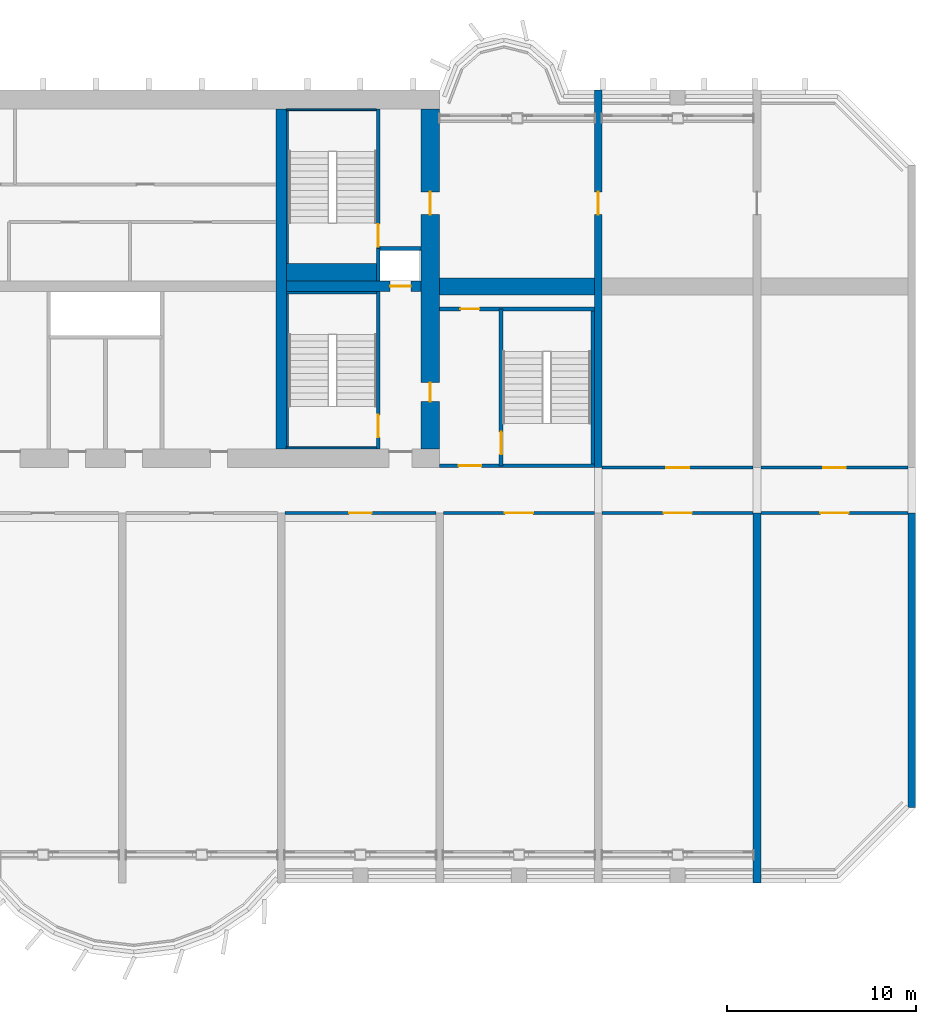
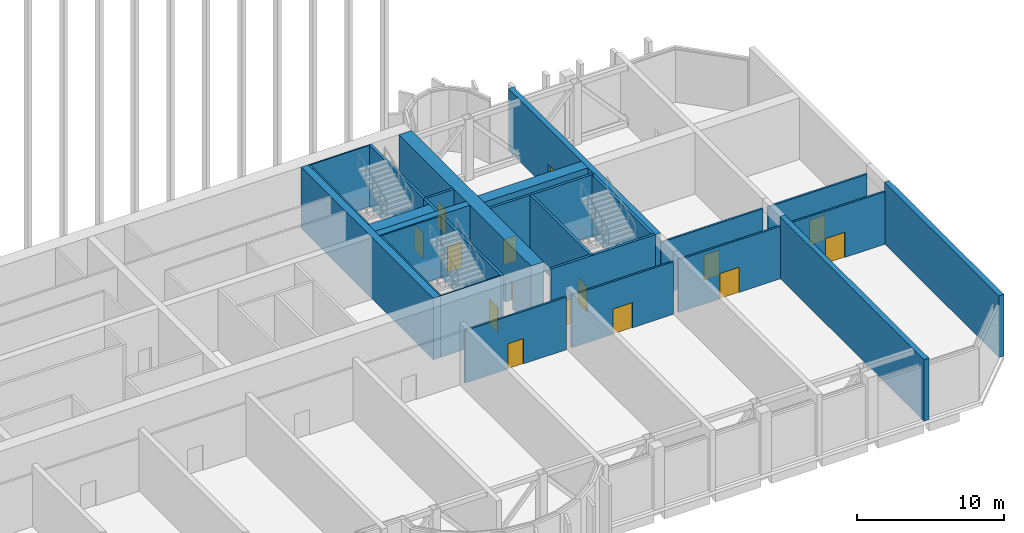
# One storey, part 8 of 17: 27 walls, 15 doors, 15 openings.
"""IFC4 building model written with IfcOpenShell, lengths in metres."""

import ifcopenshell
import ifcopenshell.guid

model = None  # the IFC model being written
_history = None  # IfcOwnerHistory: only IFC2X3 demands one
_inside = {}  # id of a spatial element -> (the spatial element, [elements in it])
_under = {}  # id of a project, library or spatial element -> (it, [spatial elements below it])
_declared = {}  # id of a project -> (the project, [libraries it declares])
_typed = {}  # id of a type object -> (the type object, [elements of that type])
_made_of = {}  # id of a material, layer set ... -> (it, [elements and type objects made of it])


def new_model(schema):
    """Start an empty IFC model of exactly this schema.

    Asked for "IFC4X3", IfcOpenShell would pick the latest addendum, in which some entities
    have other attributes; the version numbers below select the first issue.
    IFC2X3 requires an IfcOwnerHistory on every rooted entity: one is made here for all.
    """
    global model, _history
    if schema == "IFC4X3":
        model = ifcopenshell.file(schema_version=(4, 3, 0, 0))
    else:
        model = ifcopenshell.file(schema=schema)
    _inside.clear()
    _under.clear()
    _declared.clear()
    _typed.clear()
    _made_of.clear()
    _history = None
    if model.schema == "IFC2X3":
        org = make("IfcOrganization", Name="unknown")
        user = make(
            "IfcPersonAndOrganization",
            ThePerson=make("IfcPerson", FamilyName="unknown"),
            TheOrganization=org,
        )
        app = make(
            "IfcApplication",
            ApplicationDeveloper=org,
            Version="unknown",
            ApplicationFullName="unknown",
            ApplicationIdentifier="unknown",
        )
        _history = make(
            "IfcOwnerHistory",
            OwningUser=user,
            OwningApplication=app,
            ChangeAction="ADDED",
            CreationDate=0,
        )
    return model


def make(cls, **values):
    """One entity of the class cls with the attributes given. An attribute that is None is left unset."""
    return model.create_entity(
        cls, **{name: value for name, value in values.items() if value is not None}
    )


def rooted(cls, **values):
    """An entity with a GlobalId (a new one), such as an element, a storey or a relation."""
    return make(cls, GlobalId=ifcopenshell.guid.new(), OwnerHistory=_history, **values)


def si_unit(unit_type, name, prefix=None):
    """IfcSIUnit, for example si_unit("LENGTHUNIT", "METRE", prefix="MILLI")."""
    return make("IfcSIUnit", UnitType=unit_type, Prefix=prefix, Name=name)


def assignment(units):
    """IfcUnitAssignment: the units of a project."""
    return None if units is None else make("IfcUnitAssignment", Units=units)


def point(xyz):
    """IfcCartesianPoint."""
    return None if xyz is None else make("IfcCartesianPoint", Coordinates=xyz)


def direction(xyz):
    """IfcDirection."""
    return None if xyz is None else make("IfcDirection", DirectionRatios=xyz)


def frame(location, z_axis=None, x_axis=None):
    """IfcAxis2Placement3D, a coordinate frame: its origin and axes. An axis left out is left unset."""
    return make(
        "IfcAxis2Placement3D",
        Location=point(location),
        Axis=direction(z_axis),
        RefDirection=direction(x_axis),
    )


def frame_2d(location, x_axis=None):
    """IfcAxis2Placement2D, a coordinate frame in the plane: its origin and x axis."""
    return make(
        "IfcAxis2Placement2D", Location=point(location), RefDirection=direction(x_axis)
    )


def origin():
    """The frame at (0, 0, 0) with its axes left unset."""
    return frame((0.0, 0.0, 0.0))


def place(relative_to, where):
    """IfcLocalPlacement: puts the frame where relative to a parent placement (None: the world)."""
    return make(
        "IfcLocalPlacement", PlacementRelTo=relative_to, RelativePlacement=where
    )


def context(
    kind, dimensions, precision=None, world=None, true_north=None, identifier=None
):
    """IfcGeometricRepresentationContext, for example the 3D "Model" context."""
    return make(
        "IfcGeometricRepresentationContext",
        ContextIdentifier=identifier,
        ContextType=kind,
        CoordinateSpaceDimension=dimensions,
        Precision=precision,
        WorldCoordinateSystem=world,
        TrueNorth=true_north,
    )


def subcontext(parent, identifier, kind, view, scale=None):
    """IfcGeometricRepresentationSubContext, for example "Body" below "Model"."""
    return make(
        "IfcGeometricRepresentationSubContext",
        ContextIdentifier=identifier,
        ContextType=kind,
        ParentContext=parent,
        TargetScale=scale,
        TargetView=view,
    )


def project(units=None, contexts=None):
    """IfcProject with its units and contexts."""
    return rooted(
        "IfcProject",
        Name="project",
        RepresentationContexts=contexts,
        UnitsInContext=assignment(units),
    )


def spatial(cls, under=None, at=None, **own):
    """A site, building, storey or space (cls), placed at a placement, below another one or the project."""
    s = rooted(cls, ObjectPlacement=at, **own)
    if under is not None:
        _under.setdefault(under.id(), (under, []))[1].append(s)
    return s


def profile(cls, at=None, kind="AREA", **sizes):
    """A parametric profile (cls). Its sizes go by their IFC names, for example OverallWidth=200.0."""
    return make(cls, ProfileType=kind, Position=at, **sizes)


def rectangle(**sizes):
    """IfcRectangleProfileDef."""
    return profile("IfcRectangleProfileDef", **sizes)


def extrude(swept, where, along, depth):
    """IfcExtrudedAreaSolid: the profile swept, set in the frame where, extruded along a direction by depth."""
    return make(
        "IfcExtrudedAreaSolid",
        SweptArea=swept,
        Position=where,
        ExtrudedDirection=direction(along),
        Depth=depth,
    )


def shape(context_of_items, identifier, shape_type, items):
    """IfcShapeRepresentation: the items that make up one representation, for example the "Body"."""
    return make(
        "IfcShapeRepresentation",
        ContextOfItems=context_of_items,
        RepresentationIdentifier=identifier,
        RepresentationType=shape_type,
        Items=items,
    )


def source(mapping_origin, context_of_items, identifier, shape_type, items):
    """IfcRepresentationMap: a shape defined once, which mapped items show again and again."""
    return make(
        "IfcRepresentationMap",
        MappingOrigin=mapping_origin,
        MappedRepresentation=shape(context_of_items, identifier, shape_type, items),
    )


def transform(
    local_origin,
    x_axis=None,
    y_axis=None,
    z_axis=None,
    scale=None,
    scale2=None,
    scale3=None,
    uniform=True,
):
    """IfcCartesianTransformationOperator3D, or its non-uniform kind. x_axis, y_axis, z_axis: its Axis1, 2, 3."""
    if uniform:
        return make(
            "IfcCartesianTransformationOperator3D",
            Axis1=direction(x_axis),
            Axis2=direction(y_axis),
            LocalOrigin=point(local_origin),
            Scale=scale,
            Axis3=direction(z_axis),
        )
    return make(
        "IfcCartesianTransformationOperator3DnonUniform",
        Axis1=direction(x_axis),
        Axis2=direction(y_axis),
        LocalOrigin=point(local_origin),
        Scale=scale,
        Axis3=direction(z_axis),
        Scale2=scale2,
        Scale3=scale3,
    )


def mapped(mapping_source, mapping_target):
    """IfcMappedItem: shows the shape of a source again, moved by a transform."""
    return make(
        "IfcMappedItem", MappingSource=mapping_source, MappingTarget=mapping_target
    )


def material(Name=None, Category=None):
    """IfcMaterial."""
    return make("IfcMaterial", Name=Name, Category=Category)


def layer(
    of_material, thickness, ventilated=None, Name=None, Category=None, Priority=None
):
    """IfcMaterialLayer: one layer of a wall or slab, of a material (None: an air gap)."""
    return make(
        "IfcMaterialLayer",
        Material=of_material,
        LayerThickness=thickness,
        IsVentilated=ventilated,
        Name=Name,
        Category=Category,
        Priority=Priority,
    )


def layer_set(layers, Name=None):
    """IfcMaterialLayerSet."""
    return make("IfcMaterialLayerSet", MaterialLayers=layers, LayerSetName=Name)


def made_of(thing, what):
    """Note that an element or type object is made of a material, layer set ...; save() writes the relation."""
    if what is not None:
        _made_of.setdefault(what.id(), (what, []))[1].append(thing)
    return thing


def type_object(cls, material=None, **own):
    """A type object (cls), such as IfcWallType, which elements share."""
    return made_of(rooted(cls, **own), material)


def element(
    cls,
    number,
    at=None,
    inside=None,
    cuts=None,
    type_object=None,
    material=None,
    context=None,
    identifier="Body",
    shape_type=None,
    held_by="IfcProductDefinitionShape",
    body=None,
    shapes=None,
    **own,
):
    """One element of the class cls, such as IfcWall. Its Tag is "e" and its number.

    at: its placement. inside: the storey or other place that contains it. cuts: it is an
    opening in that element (IfcRelVoidsElement). A single representation is given by context,
    identifier, shape_type and body (its items); several are given by shapes. held_by: the class
    of the entity that holds the representations. save() writes the other relations.
    """
    e = rooted(cls, Tag="e%d" % number, ObjectPlacement=at, **own)
    if body is not None:
        shapes = [shape(context, identifier, shape_type, body)]
    if shapes is not None:
        e.Representation = make(held_by, Representations=shapes)
    if inside is not None:
        _inside.setdefault(inside.id(), (inside, []))[1].append(e)
    if cuts is not None:
        rooted(
            "IfcRelVoidsElement", RelatingBuildingElement=cuts, RelatedOpeningElement=e
        )
    if type_object is not None:
        _typed.setdefault(type_object.id(), (type_object, []))[1].append(e)
    return made_of(e, material)


def fill(opening, filler):
    """IfcRelFillsElement: the door or window that sits in an opening."""
    return rooted(
        "IfcRelFillsElement",
        RelatingOpeningElement=opening,
        RelatedBuildingElement=filler,
    )


def aggregate(whole, parts):
    """IfcRelAggregates: a whole, such as a stair, and the parts it consists of."""
    return rooted("IfcRelAggregates", RelatingObject=whole, RelatedObjects=parts)


def save(model, path):
    """Write the relations noted so far, then the file.

    IfcRelAggregates (storeys below a building ...), IfcRelContainedInSpatialStructure (elements
    in a storey), IfcRelDefinesByType, IfcRelAssociatesMaterial and IfcRelDeclares: one each for
    every whole, place, type object, material and project.
    """
    for whole, parts in _under.values():
        aggregate(whole, parts)
    for where, things in _inside.values():
        rooted(
            "IfcRelContainedInSpatialStructure",
            RelatedElements=things,
            RelatingStructure=where,
        )
    for kind, things in _typed.values():
        rooted("IfcRelDefinesByType", RelatedObjects=things, RelatingType=kind)
    for what, things in _made_of.values():
        rooted("IfcRelAssociatesMaterial", RelatedObjects=things, RelatingMaterial=what)
    for by, libraries in _declared.values():
        rooted("IfcRelDeclares", RelatingContext=by, RelatedDefinitions=libraries)
    model.write(path)


model = new_model("IFC4")

# Units and contexts
model_context = context("Model", 3, precision=1e-05, world=origin(), true_north=direction((0.0, 1.0)))
body_context = subcontext(model_context, "Body", "Model", "MODEL_VIEW")
ifc_project = project(units=[si_unit("LENGTHUNIT", "METRE"), si_unit("AREAUNIT", "SQUARE_METRE"), si_unit("VOLUMEUNIT", "CUBIC_METRE"), si_unit("PLANEANGLEUNIT", "RADIAN"), si_unit("MASSUNIT", "GRAM", prefix="KILO")], contexts=[model_context])

# Site, building, storey
site_placement = place(None, origin())
site = spatial("IfcSite", under=ifc_project, at=site_placement, CompositionType="ELEMENT")
building_placement = place(site_placement, origin())
building = spatial("IfcBuilding", under=site, at=building_placement, Name="Vanashikhar Sky Hotel", CompositionType="ELEMENT")
storey_placement = place(building_placement, frame((0.0, 0.0, 81.0)))
storey = spatial("IfcBuildingStorey", under=building, at=storey_placement, Name="L19", CompositionType="ELEMENT", Elevation=81.0)

# Wall, openings, doors
ifc_material_1 = material(Name="Concrete M80", Category="concrete")
ifc_layer_1 = layer(ifc_material_1, 1.0)
ifc_layer_set_1 = layer_set([ifc_layer_1], Name="RC core shell wall 1000 Concrete M80")
wall_type_1 = type_object("IfcWallType", Name="RC core shell wall 1000 Concrete M80", PredefinedType="SHEAR", material=ifc_layer_set_1)
shared_shape_1 = source(origin(), body_context, "Body", "SweptSolid", [
    extrude(rectangle(XDim=18.0, YDim=1.0, at=frame_2d((9.0, 0.0))), origin(), (0.0, 0.0, 1.0), 5.1201171875),
])
wall_1_placement = place(storey_placement, frame((75.10009765625, 23.0, 0.0), z_axis=(0.0, 0.0, 1.0), x_axis=(0.0, 1.0, 0.0)))
wall_1 = element("IfcWall", 1, at=wall_1_placement, inside=storey, type_object=wall_type_1, Name="KW-L19-KE", PredefinedType="SHEAR", context=body_context, shape_type="MappedRepresentation", body=[
    mapped(shared_shape_1, transform((0.0, 0.0, 0.0), scale=1.0)),
])
shared_shape_2 = source(origin(), body_context, "Body", "SweptSolid", [
    extrude(rectangle(XDim=1.0, YDim=2.10009765625, at=frame_2d((0.5, 1.050048828125))), frame((0.0, 0.510009765625, 0.0), z_axis=(0.0, -1.0, 0.0), x_axis=(1.0, 0.0, 0.0)), (0.0, 0.0, 1.0), 1.02001953125),
])
opening_1_placement = place(wall_1_placement, frame((2.5, 0.0, 0.0)))
opening_1 = element("IfcOpeningElement", 2, at=opening_1_placement, cuts=wall_1, Name="Opening DC-5", PredefinedType="OPENING", context=body_context, shape_type="MappedRepresentation", body=[
    mapped(shared_shape_2, transform((0.0, 0.0, 0.0), scale=1.0)),
])
shared_shape_3 = source(origin(), body_context, "Body", "SweptSolid", [
    extrude(rectangle(XDim=1.199951171875, YDim=2.10009765625, at=frame_2d((0.60009765625, 1.050048828125))), frame((0.0, 0.510009765625, 0.0), z_axis=(0.0, -1.0, 0.0), x_axis=(1.0, 0.0, 0.0)), (0.0, 0.0, 1.0), 1.02001953125),
])
opening_2_placement = place(wall_1_placement, frame((12.39990234375, 0.0, 0.0)))
opening_2 = element("IfcOpeningElement", 3, at=opening_2_placement, cuts=wall_1, Name="Opening DC-4-D", PredefinedType="OPENING", context=body_context, shape_type="MappedRepresentation", body=[
    mapped(shared_shape_3, transform((0.0, 0.0, 0.0), scale=1.0)),
])
ifc_material_2 = material(Name="Steel", Category="steel")
door_type_1 = type_object("IfcDoorType", Name="Refuge door 1000 FD120", OperationType="NOTDEFINED", PredefinedType="DOOR", material=ifc_material_2)
shared_shape_4 = source(origin(), body_context, "Body", "SweptSolid", [
    extrude(rectangle(XDim=1.0, YDim=2.10009765625, at=frame_2d((0.5, 1.050048828125))), frame((0.0, 0.02490234375, 0.0), z_axis=(0.0, -1.0, 0.0), x_axis=(1.0, 0.0, 0.0)), (0.0, 0.0, 1.0), 0.050048828125),
])
door_1_placement = place(opening_1_placement, origin())
door_1 = element("IfcDoor", 4, at=door_1_placement, inside=storey, type_object=door_type_1, Name="Refuge door 1000 FD120", OperationType="SINGLE_SWING_RIGHT", OverallHeight=2.10009765625, OverallWidth=1.0, PredefinedType="DOOR", context=body_context, shape_type="MappedRepresentation", body=[
    mapped(shared_shape_4, transform((0.0, 0.0, 0.0), scale=1.0)),
])
fill(opening_1, door_1)
door_type_2 = type_object("IfcDoorType", Name="Service door 1200 FD120", OperationType="NOTDEFINED", PredefinedType="DOOR", material=ifc_material_2)
shared_shape_5 = source(origin(), body_context, "Body", "SweptSolid", [
    extrude(rectangle(XDim=1.199951171875, YDim=2.10009765625, at=frame_2d((0.60009765625, 1.050048828125))), frame((0.0, 0.02490234375, 0.0), z_axis=(0.0, -1.0, 0.0), x_axis=(1.0, 0.0, 0.0)), (0.0, 0.0, 1.0), 0.050048828125),
])
door_2_placement = place(opening_2_placement, origin())
door_2 = element("IfcDoor", 5, at=door_2_placement, inside=storey, type_object=door_type_2, Name="Service door 1200 FD120", OperationType="SINGLE_SWING_LEFT", OverallHeight=2.10009765625, OverallWidth=1.199951171875, PredefinedType="DOOR", context=body_context, shape_type="MappedRepresentation", body=[
    mapped(shared_shape_5, transform((0.0, 0.0, 0.0), scale=1.0)),
])
fill(opening_2, door_2)

# Wall
ifc_layer_2 = layer(ifc_material_1, 0.550048828125)
ifc_layer_set_2 = layer_set([ifc_layer_2], Name="RC core inner wall 550 Concrete M80")
wall_type_2 = type_object("IfcWallType", Name="RC core inner wall 550 Concrete M80", PredefinedType="SHEAR", material=ifc_layer_set_2)
shared_shape_6 = source(origin(), body_context, "Body", "SweptSolid", [
    extrude(rectangle(XDim=18.0, YDim=0.550048828125, at=frame_2d((9.0, 0.0))), origin(), (0.0, 0.0, 1.0), 5.1201171875),
])
wall_2_placement = place(storey_placement, frame((67.199951171875, 23.0, 0.0), z_axis=(0.0, 0.0, 1.0), x_axis=(0.0, 1.0, 0.0)))
element("IfcWall", 6, at=wall_2_placement, inside=storey, type_object=wall_type_2, Name="KW-L19-KX3", PredefinedType="SHEAR", context=body_context, shape_type="MappedRepresentation", body=[
    mapped(shared_shape_6, transform((0.0, 0.0, 0.0), scale=1.0)),
])

# Wall, opening, door
shared_shape_7 = source(origin(), body_context, "Body", "SweptSolid", [
    extrude(rectangle(XDim=7.125, YDim=0.550048828125, at=frame_2d((3.5625, 0.0))), origin(), (0.0, 0.0, 1.0), 5.1201171875),
])
wall_3_placement = place(storey_placement, frame((67.47509765625, 31.60009765625, 0.0), z_axis=(0.0, 0.0, 1.0), x_axis=(1.0, 0.0, 0.0)))
wall_3 = element("IfcWall", 7, at=wall_3_placement, inside=storey, type_object=wall_type_2, Name="KW-L19-KY4", PredefinedType="SHEAR", context=body_context, shape_type="MappedRepresentation", body=[
    mapped(shared_shape_7, transform((0.0, 0.0, 0.0), scale=1.0)),
])
shared_shape_8 = source(origin(), body_context, "Body", "SweptSolid", [
    extrude(rectangle(XDim=1.10009765625, YDim=2.10009765625, at=frame_2d((0.550048828125, 1.050048828125))), frame((0.0, 0.28515625, 0.0), z_axis=(0.0, -1.0, 0.0), x_axis=(1.0, 0.0, 0.0)), (0.0, 0.0, 1.0), 0.570068359375),
])
opening_3_placement = place(wall_3_placement, frame((5.5, 0.0, 0.0)))
opening_3 = element("IfcOpeningElement", 8, at=opening_3_placement, cuts=wall_3, Name="Opening LD", PredefinedType="OPENING", context=body_context, shape_type="MappedRepresentation", body=[
    mapped(shared_shape_8, transform((0.0, 0.0, 0.0), scale=1.0)),
])
ifc_material_3 = material(Name="Stainless steel", Category="steel")
door_type_3 = type_object("IfcDoorType", Name="Lift landing door 1100", OperationType="NOTDEFINED", PredefinedType="DOOR", material=ifc_material_3)
shared_shape_9 = source(origin(), body_context, "Body", "SweptSolid", [
    extrude(rectangle(XDim=1.10009765625, YDim=2.10009765625, at=frame_2d((0.550048828125, 1.050048828125))), frame((0.0, 0.02490234375, 0.0), z_axis=(0.0, -1.0, 0.0), x_axis=(1.0, 0.0, 0.0)), (0.0, 0.0, 1.0), 0.050048828125),
])
door_3_placement = place(opening_3_placement, origin())
door_3 = element("IfcDoor", 9, at=door_3_placement, inside=storey, type_object=door_type_3, Name="Lift landing door 1100", OperationType="SLIDING_TO_LEFT", OverallHeight=2.10009765625, OverallWidth=1.10009765625, PredefinedType="DOOR", context=body_context, shape_type="MappedRepresentation", body=[
    mapped(shared_shape_9, transform((0.0, 0.0, 0.0), scale=1.0)),
])
fill(opening_3, door_3)

# Walls
ifc_layer_3 = layer(ifc_material_1, 0.39990234375)
ifc_layer_set_3 = layer_set([ifc_layer_3], Name="RC shear wall 400 Concrete M80")
wall_type_3 = type_object("IfcWallType", Name="RC shear wall 400 Concrete M80", PredefinedType="SHEAR", material=ifc_layer_set_3)
shared_shape_10 = source(origin(), body_context, "Body", "SweptSolid", [
    extrude(rectangle(XDim=15.60009765625, YDim=0.39990234375, at=frame_2d((7.800048828125, 0.0))), origin(), (0.0, 0.0, 1.0), 5.1201171875),
])
wall_4_placement = place(storey_placement, frame((100.60009765625, 4.0, 0.0), z_axis=(0.0, 0.0, 1.0), x_axis=(0.0, 1.0, 0.0)))
element("IfcWall", 10, at=wall_4_placement, inside=storey, type_object=wall_type_3, Name="CW-L19-XW13-1", PredefinedType="SHEAR", context=body_context, shape_type="MappedRepresentation", body=[
    mapped(shared_shape_10, transform((0.0, 0.0, 0.0), scale=1.0)),
])
shared_shape_11 = source(origin(), body_context, "Body", "SweptSolid", [
    extrude(rectangle(XDim=19.60009765625, YDim=0.39990234375, at=frame_2d((9.800048828125, 0.0))), origin(), (0.0, 0.0, 1.0), 5.1201171875),
])
wall_5_placement = place(storey_placement, frame((92.39990234375, 0.0, 0.0), z_axis=(0.0, 0.0, 1.0), x_axis=(0.0, 1.0, 0.0)))
element("IfcWall", 11, at=wall_5_placement, inside=storey, type_object=wall_type_3, Name="CW-L19-XW12-1", PredefinedType="SHEAR", context=body_context, shape_type="MappedRepresentation", body=[
    mapped(shared_shape_11, transform((0.0, 0.0, 0.0), scale=1.0)),
])

# Wall, opening, door
shared_shape_12 = source(origin(), body_context, "Body", "SweptSolid", [
    extrude(rectangle(XDim=20.0, YDim=0.39990234375, at=frame_2d((10.0, 0.0))), origin(), (0.0, 0.0, 1.0), 5.1201171875),
])
wall_6_placement = place(storey_placement, frame((84.0, 22.0, 0.0), z_axis=(0.0, 0.0, 1.0), x_axis=(0.0, 1.0, 0.0)))
wall_6 = element("IfcWall", 12, at=wall_6_placement, inside=storey, type_object=wall_type_3, Name="CW-L19-XW11-2", PredefinedType="SHEAR", context=body_context, shape_type="MappedRepresentation", body=[
    mapped(shared_shape_12, transform((0.0, 0.0, 0.0), scale=1.0)),
])
shared_shape_13 = source(origin(), body_context, "Body", "SweptSolid", [
    extrude(rectangle(XDim=1.199951171875, YDim=2.10009765625, at=frame_2d((0.60009765625, 1.050048828125))), frame((0.0, 0.2099609375, 0.0), z_axis=(0.0, -1.0, 0.0), x_axis=(1.0, 0.0, 0.0)), (0.0, 0.0, 1.0), 0.419921875),
])
opening_4_placement = place(wall_6_placement, frame((13.39990234375, 0.0, 0.0)))
opening_4 = element("IfcOpeningElement", 13, at=opening_4_placement, cuts=wall_6, Name="Opening DC-4-D", PredefinedType="OPENING", context=body_context, shape_type="MappedRepresentation", body=[
    mapped(shared_shape_13, transform((0.0, 0.0, 0.0), scale=1.0)),
])
door_4_placement = place(opening_4_placement, origin())
door_4 = element("IfcDoor", 14, at=door_4_placement, inside=storey, type_object=door_type_2, Name="Service door 1200 FD120", OperationType="SINGLE_SWING_LEFT", OverallHeight=2.10009765625, OverallWidth=1.199951171875, PredefinedType="DOOR", context=body_context, shape_type="MappedRepresentation", body=[
    mapped(shared_shape_5, transform((0.0, 0.0, 0.0), scale=1.0)),
])
fill(opening_4, door_4)

# Wall
ifc_layer_4 = layer(ifc_material_1, 0.89990234375)
ifc_layer_set_4 = layer_set([ifc_layer_4], Name="RC outrigger wall 900 Concrete M80")
wall_type_4 = type_object("IfcWallType", Name="RC outrigger wall 900 Concrete M80", PredefinedType="SHEAR", material=ifc_layer_set_4)
shared_shape_14 = source(origin(), body_context, "Body", "SweptSolid", [
    extrude(rectangle(XDim=8.199951171875, YDim=0.89990234375, at=frame_2d((4.10009765625, 0.0))), origin(), (0.0, 0.0, 1.0), 5.1201171875),
])
wall_7_placement = place(storey_placement, frame((75.60009765625, 31.60009765625, 0.0), z_axis=(0.0, 0.0, 1.0), x_axis=(1.0, 0.0, 0.0)))
element("IfcWall", 15, at=wall_7_placement, inside=storey, type_object=wall_type_4, Name="OW-L19-04", PredefinedType="SHEAR", context=body_context, shape_type="MappedRepresentation", body=[
    mapped(shared_shape_14, transform((0.0, 0.0, 0.0), scale=1.0)),
])

# Wall, opening, door
ifc_material_4 = material(Name="Concrete M50", Category="concrete")
ifc_layer_5 = layer(ifc_material_4, 0.199951171875)
ifc_layer_set_5 = layer_set([ifc_layer_5], Name="Stair wall 200")
wall_type_5 = type_object("IfcWallType", Name="Stair wall 200", PredefinedType="SOLIDWALL", material=ifc_layer_set_5)
shared_shape_15 = source(origin(), body_context, "Body", "SweptSolid", [
    extrude(rectangle(XDim=8.199951171875, YDim=0.199951171875, at=frame_2d((4.10009765625, 0.0))), origin(), (0.0, 0.0, 1.0), 5.1201171875),
])
wall_8_placement = place(storey_placement, frame((83.800048828125, 22.10009765625, 0.0), z_axis=(0.0, 0.0, 1.0), x_axis=(-1.0, 0.0, 0.0)))
wall_8 = element("IfcWall", 16, at=wall_8_placement, inside=storey, type_object=wall_type_5, Name="Stair wall 200", PredefinedType="SOLIDWALL", context=body_context, shape_type="MappedRepresentation", body=[
    mapped(shared_shape_15, transform((0.0, 0.0, 0.0), scale=1.0)),
])
shared_shape_16 = source(origin(), body_context, "Body", "SweptSolid", [
    extrude(rectangle(XDim=1.199951171875, YDim=2.10009765625, at=frame_2d((0.60009765625, 1.050048828125))), frame((0.0, 0.10986328125, 0.0), z_axis=(0.0, -1.0, 0.0), x_axis=(1.0, 0.0, 0.0)), (0.0, 0.0, 1.0), 0.219970703125),
])
opening_5_placement = place(wall_8_placement, frame((6.0, 0.0, 0.0)))
opening_5 = element("IfcOpeningElement", 17, at=opening_5_placement, cuts=wall_8, Name="Opening DC-2", PredefinedType="OPENING", context=body_context, shape_type="MappedRepresentation", body=[
    mapped(shared_shape_16, transform((0.0, 0.0, 0.0), scale=1.0)),
])
door_type_4 = type_object("IfcDoorType", Name="Firefighting lobby door 1200 FD120", OperationType="NOTDEFINED", PredefinedType="DOOR", material=ifc_material_2)
door_5_placement = place(opening_5_placement, origin())
door_5 = element("IfcDoor", 18, at=door_5_placement, inside=storey, type_object=door_type_4, Name="Firefighting lobby door 1200 FD120", OperationType="SINGLE_SWING_LEFT", OverallHeight=2.10009765625, OverallWidth=1.199951171875, PredefinedType="DOOR", context=body_context, shape_type="MappedRepresentation", body=[
    mapped(shared_shape_5, transform((0.0, 0.0, 0.0), scale=1.0)),
])
fill(opening_5, door_5)

wall_9_placement = place(storey_placement, frame((83.800048828125, 30.39990234375, 0.0), z_axis=(0.0, 0.0, 1.0), x_axis=(-1.0, 0.0, 0.0)))
wall_9 = element("IfcWall", 19, at=wall_9_placement, inside=storey, type_object=wall_type_5, Name="Stair wall 200", PredefinedType="SOLIDWALL", context=body_context, shape_type="MappedRepresentation", body=[
    mapped(shared_shape_15, transform((0.0, 0.0, 0.0), scale=1.0)),
])
shared_shape_17 = source(origin(), body_context, "Body", "SweptSolid", [
    extrude(rectangle(XDim=1.0, YDim=2.10009765625, at=frame_2d((0.5, 1.050048828125))), frame((0.0, 0.10986328125, 0.0), z_axis=(0.0, -1.0, 0.0), x_axis=(1.0, 0.0, 0.0)), (0.0, 0.0, 1.0), 0.219970703125),
])
opening_6_placement = place(wall_9_placement, frame((6.10009765625, 0.0, 0.0)))
opening_6 = element("IfcOpeningElement", 20, at=opening_6_placement, cuts=wall_9, Name="Opening DC-6", PredefinedType="OPENING", context=body_context, shape_type="MappedRepresentation", body=[
    mapped(shared_shape_17, transform((0.0, 0.0, 0.0), scale=1.0)),
])
door_type_5 = type_object("IfcDoorType", Name="Pocket door 1000 FD60", OperationType="NOTDEFINED", PredefinedType="DOOR", material=ifc_material_2)
door_6_placement = place(opening_6_placement, origin())
door_6 = element("IfcDoor", 21, at=door_6_placement, inside=storey, type_object=door_type_5, Name="Pocket door 1000 FD60", OperationType="SINGLE_SWING_LEFT", OverallHeight=2.10009765625, OverallWidth=1.0, PredefinedType="DOOR", context=body_context, shape_type="MappedRepresentation", body=[
    mapped(shared_shape_4, transform((0.0, 0.0, 0.0), scale=1.0)),
])
fill(opening_6, door_6)

# Wall
ifc_material_5 = material(Name="Concrete M40", Category="concrete")
ifc_layer_6 = layer(ifc_material_5, 0.199951171875)
ifc_layer_set_6 = layer_set([ifc_layer_6], Name="Shaft wall 200")
wall_type_6 = type_object("IfcWallType", Name="Shaft wall 200", PredefinedType="SOLIDWALL", material=ifc_layer_set_6)
shared_shape_18 = source(origin(), body_context, "Body", "SweptSolid", [
    extrude(rectangle(XDim=2.150146484375, YDim=0.199951171875, at=frame_2d((1.0751953125, 0.0))), origin(), (0.0, 0.0, 1.0), 5.1201171875),
])
wall_10_placement = place(storey_placement, frame((72.449951171875, 33.60009765625, 0.0), z_axis=(0.0, 0.0, 1.0), x_axis=(1.0, 0.0, 0.0)))
element("IfcWall", 22, at=wall_10_placement, inside=storey, type_object=wall_type_6, Name="Shaft wall 200", PredefinedType="SOLIDWALL", context=body_context, shape_type="MappedRepresentation", body=[
    mapped(shared_shape_18, transform((0.0, 0.0, 0.0), scale=1.0)),
])

# Wall, opening, door
shared_shape_19 = source(origin(), body_context, "Body", "SweptSolid", [
    extrude(rectangle(XDim=8.2998046875, YDim=0.199951171875, at=frame_2d((4.14990234375, 0.0))), origin(), (0.0, 0.0, 1.0), 5.1201171875),
])
wall_11_placement = place(storey_placement, frame((78.85009765625, 22.10009765625, 0.0), z_axis=(0.0, 0.0, 1.0), x_axis=(0.0, 1.0, 0.0)))
wall_11 = element("IfcWall", 23, at=wall_11_placement, inside=storey, type_object=wall_type_5, Name="Stair wall 200", PredefinedType="SOLIDWALL", context=body_context, shape_type="MappedRepresentation", body=[
    mapped(shared_shape_19, transform((0.0, 0.0, 0.0), scale=1.0)),
])
opening_7_placement = place(wall_11_placement, frame((0.60009765625, 0.0, 0.0)))
opening_7 = element("IfcOpeningElement", 24, at=opening_7_placement, cuts=wall_11, Name="Opening DC-1", PredefinedType="OPENING", context=body_context, shape_type="MappedRepresentation", body=[
    mapped(shared_shape_16, transform((0.0, 0.0, 0.0), scale=1.0)),
])
door_type_6 = type_object("IfcDoorType", Name="Stair door 1200 FD120", OperationType="NOTDEFINED", PredefinedType="DOOR", material=ifc_material_2)
door_7_placement = place(opening_7_placement, origin())
door_7 = element("IfcDoor", 25, at=door_7_placement, inside=storey, type_object=door_type_6, Name="Stair door 1200 FD120", OperationType="SINGLE_SWING_RIGHT", OverallHeight=2.10009765625, OverallWidth=1.199951171875, PredefinedType="DOOR", context=body_context, shape_type="MappedRepresentation", body=[
    mapped(shared_shape_5, transform((0.0, 0.0, 0.0), scale=1.0)),
])
fill(opening_7, door_7)

shared_shape_20 = source(origin(), body_context, "Body", "SweptSolid", [
    extrude(rectangle(XDim=8.324951171875, YDim=0.199951171875, at=frame_2d((4.16259765625, 0.0))), origin(), (0.0, 0.0, 1.0), 5.1201171875),
])
wall_12_placement = place(storey_placement, frame((72.35009765625, 23.0, 0.0), z_axis=(0.0, 0.0, 1.0), x_axis=(0.0, 1.0, 0.0)))
wall_12 = element("IfcWall", 26, at=wall_12_placement, inside=storey, type_object=wall_type_5, Name="Stair wall 200", PredefinedType="SOLIDWALL", context=body_context, shape_type="MappedRepresentation", body=[
    mapped(shared_shape_20, transform((0.0, 0.0, 0.0), scale=1.0)),
])
opening_8_placement = place(wall_12_placement, frame((0.60009765625, 0.0, 0.0)))
opening_8 = element("IfcOpeningElement", 27, at=opening_8_placement, cuts=wall_12, Name="Opening DC-1", PredefinedType="OPENING", context=body_context, shape_type="MappedRepresentation", body=[
    mapped(shared_shape_16, transform((0.0, 0.0, 0.0), scale=1.0)),
])
door_8_placement = place(opening_8_placement, origin())
door_8 = element("IfcDoor", 28, at=door_8_placement, inside=storey, type_object=door_type_6, Name="Stair door 1200 FD120", OperationType="SINGLE_SWING_LEFT", OverallHeight=2.10009765625, OverallWidth=1.199951171875, PredefinedType="DOOR", context=body_context, shape_type="MappedRepresentation", body=[
    mapped(shared_shape_5, transform((0.0, 0.0, 0.0), scale=1.0)),
])
fill(opening_8, door_8)

# Wall
shared_shape_21 = source(origin(), body_context, "Body", "SweptSolid", [
    extrude(rectangle(XDim=1.72509765625, YDim=0.199951171875, at=frame_2d((0.862548828125, 0.0))), origin(), (0.0, 0.0, 1.0), 5.1201171875),
])
wall_13_placement = place(storey_placement, frame((72.35009765625, 31.875, 0.0), z_axis=(0.0, 0.0, 1.0), x_axis=(0.0, 1.0, 0.0)))
element("IfcWall", 29, at=wall_13_placement, inside=storey, type_object=wall_type_6, Name="Shaft wall 200", PredefinedType="SOLIDWALL", context=body_context, shape_type="MappedRepresentation", body=[
    mapped(shared_shape_21, transform((0.0, 0.0, 0.0), scale=1.0)),
])

# Wall, opening, door
shared_shape_22 = source(origin(), body_context, "Body", "SweptSolid", [
    extrude(rectangle(XDim=7.39990234375, YDim=0.199951171875, at=frame_2d((3.699951171875, 0.0))), origin(), (0.0, 0.0, 1.0), 5.1201171875),
])
wall_14_placement = place(storey_placement, frame((72.35009765625, 33.60009765625, 0.0), z_axis=(0.0, 0.0, 1.0), x_axis=(0.0, 1.0, 0.0)))
wall_14 = element("IfcWall", 30, at=wall_14_placement, inside=storey, type_object=wall_type_5, Name="Stair wall 200", PredefinedType="SOLIDWALL", context=body_context, shape_type="MappedRepresentation", body=[
    mapped(shared_shape_22, transform((0.0, 0.0, 0.0), scale=1.0)),
])
opening_9_placement = place(wall_14_placement, frame((0.10009765625, 0.0, 0.0)))
opening_9 = element("IfcOpeningElement", 31, at=opening_9_placement, cuts=wall_14, Name="Opening DC-1", PredefinedType="OPENING", context=body_context, shape_type="MappedRepresentation", body=[
    mapped(shared_shape_16, transform((0.0, 0.0, 0.0), scale=1.0)),
])
door_9_placement = place(opening_9_placement, origin())
door_9 = element("IfcDoor", 32, at=door_9_placement, inside=storey, type_object=door_type_6, Name="Stair door 1200 FD120", OperationType="SINGLE_SWING_RIGHT", OverallHeight=2.10009765625, OverallWidth=1.199951171875, PredefinedType="DOOR", context=body_context, shape_type="MappedRepresentation", body=[
    mapped(shared_shape_5, transform((0.0, 0.0, 0.0), scale=1.0)),
])
fill(opening_9, door_9)

# Walls
ifc_layer_7 = layer(ifc_material_4, 0.10009765625)
ifc_layer_set_7 = layer_set([ifc_layer_7], Name="Stair infill wall 100")
wall_type_7 = type_object("IfcWallType", Name="Stair infill wall 100", PredefinedType="SOLIDWALL", material=ifc_layer_set_7)
shared_shape_23 = source(origin(), body_context, "Body", "SweptSolid", [
    extrude(rectangle(XDim=4.77490234375, YDim=0.10009765625, at=frame_2d((2.387451171875, 0.0))), origin(), (0.0, 0.0, 1.0), 5.1201171875),
])
for number, where, z_axis, x_axis, name in (
    (33, (67.47509765625, 23.050048828125, 0.0), (0.0, 0.0, 1.0), (1.0, 0.0, 0.0), "Stair infill wall 100"),
    (34, (67.47509765625, 40.949951171875, 0.0), (0.0, 0.0, 1.0), (1.0, 0.0, 0.0), "Stair infill wall 100"),
):
    element("IfcWall", number, at=place(storey_placement, frame(where, z_axis=z_axis, x_axis=x_axis)), inside=storey, type_object=wall_type_7, Name=name, PredefinedType="SOLIDWALL", context=body_context, shape_type="MappedRepresentation", body=[
        mapped(shared_shape_23, transform((0.0, 0.0, 0.0), scale=1.0)),
    ])
ifc_layer_8 = layer(ifc_material_4, 0.125)
ifc_layer_set_8 = layer_set([ifc_layer_8], Name="Stair infill wall 125")
wall_type_8 = type_object("IfcWallType", Name="Stair infill wall 125", PredefinedType="SOLIDWALL", material=ifc_layer_set_8)
shared_shape_24 = source(origin(), body_context, "Body", "SweptSolid", [
    extrude(rectangle(XDim=4.77490234375, YDim=0.125, at=frame_2d((2.387451171875, 0.0))), origin(), (0.0, 0.0, 1.0), 5.1201171875),
])
wall_15_placement = place(storey_placement, frame((67.47509765625, 31.261962890625, 0.0), z_axis=(0.0, 0.0, 1.0), x_axis=(1.0, 0.0, 0.0)))
element("IfcWall", 35, at=wall_15_placement, inside=storey, type_object=wall_type_8, Name="Stair infill wall 125", PredefinedType="SOLIDWALL", context=body_context, shape_type="MappedRepresentation", body=[
    mapped(shared_shape_24, transform((0.0, 0.0, 0.0), scale=1.0)),
])
shared_shape_25 = source(origin(), body_context, "Body", "SweptSolid", [
    extrude(rectangle(XDim=8.099853515625, YDim=0.125, at=frame_2d((4.0498046875, 0.0))), origin(), (0.0, 0.0, 1.0), 5.1201171875),
])
for number, where, z_axis, x_axis, name in (
    (36, (67.537109375, 23.10009765625, 0.0), (0.0, 0.0, 1.0), (0.0, 1.0, 0.0), "Stair infill wall 125"),
    (37, (67.537109375, 32.800048828125, 0.0), (0.0, 0.0, 1.0), (0.0, 1.0, 0.0), "Stair infill wall 125"),
):
    element("IfcWall", number, at=place(storey_placement, frame(where, z_axis=z_axis, x_axis=x_axis)), inside=storey, type_object=wall_type_8, Name=name, PredefinedType="SOLIDWALL", context=body_context, shape_type="MappedRepresentation", body=[
        mapped(shared_shape_25, transform((0.0, 0.0, 0.0), scale=1.0)),
    ])
ifc_layer_9 = layer(ifc_material_4, 0.199951171875)
ifc_layer_set_9 = layer_set([ifc_layer_9], Name="Stair infill wall 200")
wall_type_9 = type_object("IfcWallType", Name="Stair infill wall 200", PredefinedType="SOLIDWALL", material=ifc_layer_set_9)
shared_shape_26 = source(origin(), body_context, "Body", "SweptSolid", [
    extrude(rectangle(XDim=8.10009765625, YDim=0.199951171875, at=frame_2d((4.050048828125, 0.0))), origin(), (0.0, 0.0, 1.0), 5.1201171875),
])
wall_16_placement = place(storey_placement, frame((83.699951171875, 22.199951171875, 0.0), z_axis=(0.0, 0.0, 1.0), x_axis=(0.0, 1.0, 0.0)))
element("IfcWall", 38, at=wall_16_placement, inside=storey, type_object=wall_type_9, Name="Stair infill wall 200", PredefinedType="SOLIDWALL", context=body_context, shape_type="MappedRepresentation", body=[
    mapped(shared_shape_26, transform((0.0, 0.0, 0.0), scale=1.0)),
])
ifc_layer_10 = layer(ifc_material_4, 0.925048828125)
ifc_layer_set_10 = layer_set([ifc_layer_10], Name="Stair infill wall 925")
wall_type_10 = type_object("IfcWallType", Name="Stair infill wall 925", PredefinedType="SOLIDWALL", material=ifc_layer_set_10)
shared_shape_27 = source(origin(), body_context, "Body", "SweptSolid", [
    extrude(rectangle(XDim=4.77490234375, YDim=0.925048828125, at=frame_2d((2.387451171875, 0.0))), origin(), (0.0, 0.0, 1.0), 5.1201171875),
])
wall_17_placement = place(storey_placement, frame((67.47509765625, 32.3369140625, 0.0), z_axis=(0.0, 0.0, 1.0), x_axis=(1.0, 0.0, 0.0)))
element("IfcWall", 39, at=wall_17_placement, inside=storey, type_object=wall_type_10, Name="Stair infill wall 925", PredefinedType="SOLIDWALL", context=body_context, shape_type="MappedRepresentation", body=[
    mapped(shared_shape_27, transform((0.0, 0.0, 0.0), scale=1.0)),
])

# Wall, opening, door
ifc_material_6 = material(Name="Gypsum board partition")
ifc_layer_11 = layer(ifc_material_6, 0.14990234375)
ifc_layer_set_11 = layer_set([ifc_layer_11], Name="Service partition 150")
wall_type_11 = type_object("IfcWallType", Name="Service partition 150", PredefinedType="PARTITIONING", material=ifc_layer_set_11)
shared_shape_28 = source(origin(), body_context, "Body", "SweptSolid", [
    extrude(rectangle(XDim=8.0, YDim=0.14990234375, at=frame_2d((4.0, 0.0))), origin(), (0.0, 0.0, 1.0), 4.3701171875),
])
wall_18_placement = place(storey_placement, frame((67.39990234375, 19.60009765625, 0.0), z_axis=(0.0, 0.0, 1.0), x_axis=(1.0, 0.0, 0.0)))
wall_18 = element("IfcWall", 40, at=wall_18_placement, inside=storey, type_object=wall_type_11, Name="Service partition 150", PredefinedType="PARTITIONING", context=body_context, shape_type="MappedRepresentation", body=[
    mapped(shared_shape_28, transform((0.0, 0.0, 0.0), scale=1.0)),
])
shared_shape_29 = source(origin(), body_context, "Body", "SweptSolid", [
    extrude(rectangle(XDim=1.199951171875, YDim=2.10009765625, at=frame_2d((0.60009765625, 1.050048828125))), frame((0.0, 0.0849609375, 0.0), z_axis=(0.0, -1.0, 0.0), x_axis=(1.0, 0.0, 0.0)), (0.0, 0.0, 1.0), 0.169921875),
])
opening_10_placement = place(wall_18_placement, frame((3.39990234375, 0.0, 0.0)))
opening_10 = element("IfcOpeningElement", 41, at=opening_10_placement, cuts=wall_18, Name="Opening DC-4-D", PredefinedType="OPENING", context=body_context, shape_type="MappedRepresentation", body=[
    mapped(shared_shape_29, transform((0.0, 0.0, 0.0), scale=1.0)),
])
door_10_placement = place(opening_10_placement, origin())
door_10 = element("IfcDoor", 42, at=door_10_placement, inside=storey, type_object=door_type_2, Name="Service door 1200 FD120", OperationType="SINGLE_SWING_LEFT", OverallHeight=2.10009765625, OverallWidth=1.199951171875, PredefinedType="DOOR", context=body_context, shape_type="MappedRepresentation", body=[
    mapped(shared_shape_5, transform((0.0, 0.0, 0.0), scale=1.0)),
])
fill(opening_10, door_10)

wall_19_placement = place(storey_placement, frame((75.800048828125, 19.60009765625, 0.0), z_axis=(0.0, 0.0, 1.0), x_axis=(1.0, 0.0, 0.0)))
wall_19 = element("IfcWall", 43, at=wall_19_placement, inside=storey, type_object=wall_type_11, Name="Service partition 150", PredefinedType="PARTITIONING", context=body_context, shape_type="MappedRepresentation", body=[
    mapped(shared_shape_28, transform((0.0, 0.0, 0.0), scale=1.0)),
])
shared_shape_30 = source(origin(), body_context, "Body", "SweptSolid", [
    extrude(rectangle(XDim=1.5, YDim=2.10009765625, at=frame_2d((0.75, 1.050048828125))), frame((0.0, 0.0849609375, 0.0), z_axis=(0.0, -1.0, 0.0), x_axis=(1.0, 0.0, 0.0)), (0.0, 0.0, 1.0), 0.169921875),
])
opening_11_placement = place(wall_19_placement, frame((3.25, 0.0, 0.0)))
opening_11 = element("IfcOpeningElement", 44, at=opening_11_placement, cuts=wall_19, Name="Opening DC-4-E", PredefinedType="OPENING", context=body_context, shape_type="MappedRepresentation", body=[
    mapped(shared_shape_30, transform((0.0, 0.0, 0.0), scale=1.0)),
])
door_type_7 = type_object("IfcDoorType", Name="Service door 1500 FD60", OperationType="NOTDEFINED", PredefinedType="DOOR", material=ifc_material_2)
shared_shape_31 = source(origin(), body_context, "Body", "SweptSolid", [
    extrude(rectangle(XDim=1.5, YDim=2.10009765625, at=frame_2d((0.75, 1.050048828125))), frame((0.0, 0.02490234375, 0.0), z_axis=(0.0, -1.0, 0.0), x_axis=(1.0, 0.0, 0.0)), (0.0, 0.0, 1.0), 0.050048828125),
])
door_11_placement = place(opening_11_placement, origin())
door_11 = element("IfcDoor", 45, at=door_11_placement, inside=storey, type_object=door_type_7, Name="Service door 1500 FD60", OperationType="SINGLE_SWING_RIGHT", OverallHeight=2.10009765625, OverallWidth=1.5, PredefinedType="DOOR", context=body_context, shape_type="MappedRepresentation", body=[
    mapped(shared_shape_31, transform((0.0, 0.0, 0.0), scale=1.0)),
])
fill(opening_11, door_11)

wall_20_placement = place(storey_placement, frame((84.199951171875, 19.60009765625, 0.0), z_axis=(0.0, 0.0, 1.0), x_axis=(1.0, 0.0, 0.0)))
wall_20 = element("IfcWall", 46, at=wall_20_placement, inside=storey, type_object=wall_type_11, Name="Service partition 150", PredefinedType="PARTITIONING", context=body_context, shape_type="MappedRepresentation", body=[
    mapped(shared_shape_28, transform((0.0, 0.0, 0.0), scale=1.0)),
])
opening_12_placement = place(wall_20_placement, frame((3.25, 0.0, 0.0)))
opening_12 = element("IfcOpeningElement", 47, at=opening_12_placement, cuts=wall_20, Name="Opening DC-4-E", PredefinedType="OPENING", context=body_context, shape_type="MappedRepresentation", body=[
    mapped(shared_shape_30, transform((0.0, 0.0, 0.0), scale=1.0)),
])
door_12_placement = place(opening_12_placement, origin())
door_12 = element("IfcDoor", 48, at=door_12_placement, inside=storey, type_object=door_type_7, Name="Service door 1500 FD60", OperationType="SINGLE_SWING_LEFT", OverallHeight=2.10009765625, OverallWidth=1.5, PredefinedType="DOOR", context=body_context, shape_type="MappedRepresentation", body=[
    mapped(shared_shape_31, transform((0.0, 0.0, 0.0), scale=1.0)),
])
fill(opening_12, door_12)

wall_21_placement = place(storey_placement, frame((84.199951171875, 22.0, 0.0), z_axis=(0.0, 0.0, 1.0), x_axis=(1.0, 0.0, 0.0)))
wall_21 = element("IfcWall", 49, at=wall_21_placement, inside=storey, type_object=wall_type_11, Name="Service partition 150", PredefinedType="PARTITIONING", context=body_context, shape_type="MappedRepresentation", body=[
    mapped(shared_shape_28, transform((0.0, 0.0, 0.0), scale=1.0)),
])
opening_13_placement = place(wall_21_placement, frame((3.39990234375, 0.0, 0.0)))
opening_13 = element("IfcOpeningElement", 50, at=opening_13_placement, cuts=wall_21, Name="Opening DC-4-D", PredefinedType="OPENING", context=body_context, shape_type="MappedRepresentation", body=[
    mapped(shared_shape_29, transform((0.0, 0.0, 0.0), scale=1.0)),
])
door_13_placement = place(opening_13_placement, origin())
door_13 = element("IfcDoor", 51, at=door_13_placement, inside=storey, type_object=door_type_2, Name="Service door 1200 FD120", OperationType="SINGLE_SWING_LEFT", OverallHeight=2.10009765625, OverallWidth=1.199951171875, PredefinedType="DOOR", context=body_context, shape_type="MappedRepresentation", body=[
    mapped(shared_shape_5, transform((0.0, 0.0, 0.0), scale=1.0)),
])
fill(opening_13, door_13)

shared_shape_32 = source(origin(), body_context, "Body", "SweptSolid", [
    extrude(rectangle(XDim=7.7998046875, YDim=0.14990234375, at=frame_2d((3.89990234375, 0.0))), origin(), (0.0, 0.0, 1.0), 4.3701171875),
])
wall_22_placement = place(storey_placement, frame((92.60009765625, 19.60009765625, 0.0), z_axis=(0.0, 0.0, 1.0), x_axis=(1.0, 0.0, 0.0)))
wall_22 = element("IfcWall", 52, at=wall_22_placement, inside=storey, type_object=wall_type_11, Name="Service partition 150", PredefinedType="PARTITIONING", context=body_context, shape_type="MappedRepresentation", body=[
    mapped(shared_shape_32, transform((0.0, 0.0, 0.0), scale=1.0)),
])
opening_14_placement = place(wall_22_placement, frame((3.14990234375, 0.0, 0.0)))
opening_14 = element("IfcOpeningElement", 53, at=opening_14_placement, cuts=wall_22, Name="Opening DC-4-E", PredefinedType="OPENING", context=body_context, shape_type="MappedRepresentation", body=[
    mapped(shared_shape_30, transform((0.0, 0.0, 0.0), scale=1.0)),
])
door_14_placement = place(opening_14_placement, origin())
door_14 = element("IfcDoor", 54, at=door_14_placement, inside=storey, type_object=door_type_7, Name="Service door 1500 FD60", OperationType="SINGLE_SWING_LEFT", OverallHeight=2.10009765625, OverallWidth=1.5, PredefinedType="DOOR", context=body_context, shape_type="MappedRepresentation", body=[
    mapped(shared_shape_31, transform((0.0, 0.0, 0.0), scale=1.0)),
])
fill(opening_14, door_14)

wall_23_placement = place(storey_placement, frame((92.60009765625, 22.0, 0.0), z_axis=(0.0, 0.0, 1.0), x_axis=(1.0, 0.0, 0.0)))
wall_23 = element("IfcWall", 55, at=wall_23_placement, inside=storey, type_object=wall_type_11, Name="Service partition 150", PredefinedType="PARTITIONING", context=body_context, shape_type="MappedRepresentation", body=[
    mapped(shared_shape_32, transform((0.0, 0.0, 0.0), scale=1.0)),
])
opening_15_placement = place(wall_23_placement, frame((3.300048828125, 0.0, 0.0)))
opening_15 = element("IfcOpeningElement", 56, at=opening_15_placement, cuts=wall_23, Name="Opening DC-4-D", PredefinedType="OPENING", context=body_context, shape_type="MappedRepresentation", body=[
    mapped(shared_shape_29, transform((0.0, 0.0, 0.0), scale=1.0)),
])
door_15_placement = place(opening_15_placement, origin())
door_15 = element("IfcDoor", 57, at=door_15_placement, inside=storey, type_object=door_type_2, Name="Service door 1200 FD120", OperationType="SINGLE_SWING_LEFT", OverallHeight=2.10009765625, OverallWidth=1.199951171875, PredefinedType="DOOR", context=body_context, shape_type="MappedRepresentation", body=[
    mapped(shared_shape_5, transform((0.0, 0.0, 0.0), scale=1.0)),
])
fill(opening_15, door_15)

save(model, "model.ifc")
